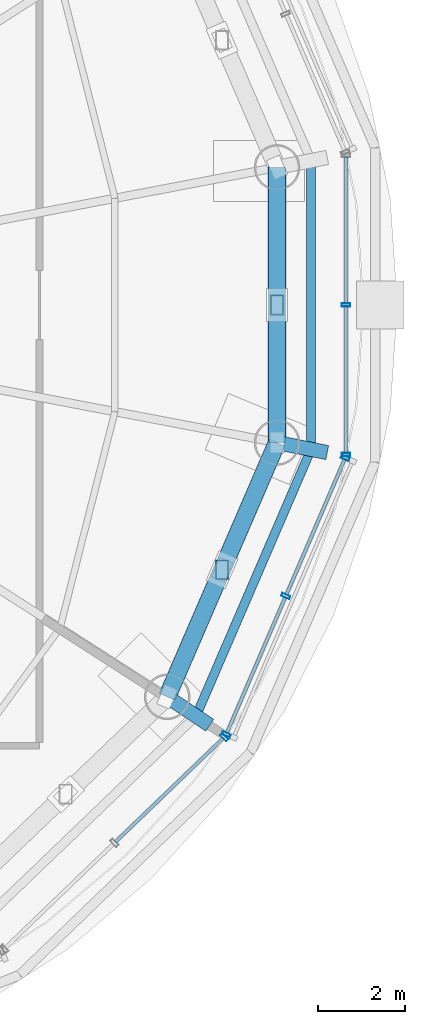
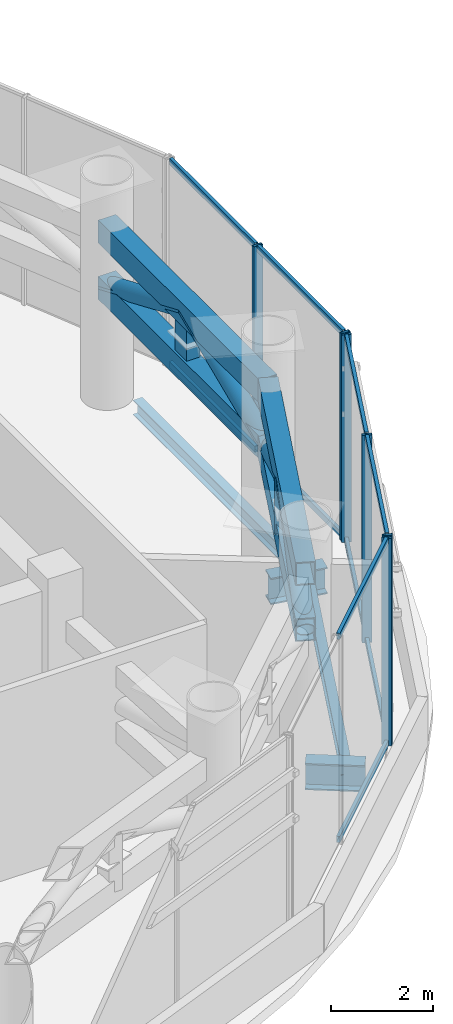
# One storey, part 11 of 21: 26 members, 4 beams, 3 elements without a shape of their own.
"""IFC4 building model written with IfcOpenShell, lengths in metres."""

from ifc_helpers import new_model, si_unit, direction, frame, origin, origin_2d, place, context, subcontext, project, spatial, hollow_rectangle, hollow_circle, i_section, extrude, source, transform, mapped, material, material_profile, profile_set, type_object, element, aggregate, save


model = new_model("IFC4")

# Units and contexts
model_context = context("Model", 3, precision=1e-05, world=origin(), true_north=direction((-0.2419218956, 0.970295726276)))
body_context = subcontext(model_context, "Body", "Model", "MODEL_VIEW")
ifc_project = project(units=[si_unit("LENGTHUNIT", "METRE"), si_unit("AREAUNIT", "SQUARE_METRE"), si_unit("VOLUMEUNIT", "CUBIC_METRE"), si_unit("PLANEANGLEUNIT", "RADIAN"), si_unit("MASSUNIT", "GRAM", prefix="KILO")], contexts=[model_context])

# Site, building, storey
site_placement = place(None, origin())
site = spatial("IfcSite", under=ifc_project, at=site_placement, CompositionType="ELEMENT")
building_placement = place(site_placement, origin())
building = spatial("IfcBuilding", under=site, at=building_placement, Name="Cobrevalo Terracotta Tower", CompositionType="ELEMENT")
storey_placement = place(building_placement, frame((0.0, 0.0, 300.699951171875)))
storey = spatial("IfcBuildingStorey", under=building, at=storey_placement, Name="L79", CompositionType="ELEMENT", Elevation=300.699951171875)

# Beams
ifc_material_1 = material(Name="Steel S355", Category="steel")
ifc_material_profile_1 = material_profile(ifc_material_1, i_section(OverallWidth=0.3291015625, OverallDepth=0.635009765625, WebThickness=0.017822265625, FlangeThickness=0.031005859375, at=origin_2d()), Name="W 610x241")
ifc_profile_set_1 = profile_set([ifc_material_profile_1], Name="Steel S355")
beam_type_1 = type_object("IfcBeamType", Name="Structural Beam W 610x241 (Steel S355)", PredefinedType="BEAM", material=ifc_profile_set_1)
beam_1_placement = place(storey_placement, frame((53.074462890625, 17.116455078125, -0.767333984375), z_axis=(-0.831444927207, 0.5556071751, 0.0), x_axis=(-0.5556071751, -0.831444927207, 0.0)))
element("IfcBeam", 1, at=beam_1_placement, inside=storey, type_object=beam_type_1, Name="L79 setback step-link girder 15", PredefinedType="BEAM", context=body_context, shape_type="SweptSolid", body=[
    extrude(i_section(OverallWidth=0.3291015625, OverallDepth=0.635009765625, WebThickness=0.017822265625, FlangeThickness=0.031005859375, at=origin_2d()), origin(), (0.0, 0.0, 1.0), 1.179931640625),
])
beam_2_placement = place(storey_placement, frame((55.78173828125, 23.399658203125, -0.767333984375), z_axis=(-0.980787003584, 0.195081658802, 0.0), x_axis=(-0.195081658802, -0.980787003584, 0.0)))
element("IfcBeam", 2, at=beam_2_placement, inside=storey, type_object=beam_type_1, Name="L79 setback step-link girder 16", PredefinedType="BEAM", context=body_context, shape_type="SweptSolid", body=[
    extrude(i_section(OverallWidth=0.3291015625, OverallDepth=0.635009765625, WebThickness=0.017822265625, FlangeThickness=0.031005859375, at=origin_2d()), origin(), (0.0, 0.0, 1.0), 1.18017578125),
])
ifc_material_profile_2 = material_profile(ifc_material_1, i_section(OverallWidth=0.205078125, OverallDepth=0.35400390625, WebThickness=0.009521484375, FlangeThickness=0.016845703125, at=origin_2d()), Name="W 360x79")
ifc_profile_set_2 = profile_set([ifc_material_profile_2], Name="Steel S355")
beam_type_2 = type_object("IfcBeamType", Name="Structural Spandrel W 360x79 (Steel S355)", PredefinedType="SPANDREL", material=ifc_profile_set_2)
beam_3_placement = place(storey_placement, frame((52.758544921875, 17.32763671875, -0.626953125), z_axis=(0.395987390706, 0.918255948198, 0.0), x_axis=(-0.918255948198, 0.395987390706, 0.0)))
element("IfcBeam", 3, at=beam_3_placement, inside=storey, type_object=beam_type_2, Name="L79 perimeter ring spandrel 15", PredefinedType="SPANDREL", context=body_context, shape_type="SweptSolid", body=[
    extrude(i_section(OverallWidth=0.205078125, OverallDepth=0.35400390625, WebThickness=0.009521484375, FlangeThickness=0.016845703125, at=origin_2d()), origin(), (0.0, 0.0, 1.0), 6.693115234375),
])
beam_4_placement = place(storey_placement, frame((55.408935546875, 23.4736328125, -0.626953125), z_axis=(0.0, 1.0, 0.0), x_axis=(-1.0, 0.0, 0.0)))
element("IfcBeam", 4, at=beam_4_placement, inside=storey, type_object=beam_type_2, Name="L79 perimeter ring spandrel 16", PredefinedType="SPANDREL", context=body_context, shape_type="SweptSolid", body=[
    extrude(i_section(OverallWidth=0.205078125, OverallDepth=0.35400390625, WebThickness=0.009521484375, FlangeThickness=0.016845703125, at=origin_2d()), origin(), (0.0, 0.0, 1.0), 6.652587890625),
])

# Members
ifc_material_profile_3 = material_profile(ifc_material_1, hollow_rectangle(XDim=0.39990234375, YDim=0.550048828125, WallThickness=0.02490234375, at=origin_2d()), Name="RHS 550x400x25")
ifc_profile_set_3 = profile_set([ifc_material_profile_3], Name="Steel S355")
member_type_1 = type_object("IfcMemberType", Name="Steel Chord RHS 550x400x25 (Steel S355)", PredefinedType="CHORD", material=ifc_profile_set_3)
shared_shape_1 = source(origin(), body_context, "Body", "SweptSolid", [
    extrude(hollow_rectangle(XDim=0.39990234375, YDim=0.550048828125, WallThickness=0.02490234375, at=origin_2d()), origin(), (0.0, 0.0, 1.0), 6.381103515625),
])
for number, where, z_axis, x_axis, name in (
    (5, (52.093505859375, 17.77197265625, 2.650146484375), (0.396595776552, 0.917993349661, 0.0), (-0.917993349661, 0.396595776552, 0.0), "L79 belt truss chord 15-BC"),
    (6, (52.093505859375, 17.77197265625, 4.0), (0.396595776552, 0.917993349661, 0.0), (-0.917993349661, 0.396595776552, 0.0), "L79 belt truss chord 15-TC"),
):
    element("IfcMember", number, at=place(storey_placement, frame(where, z_axis=z_axis, x_axis=x_axis)), inside=storey, type_object=member_type_1, Name=name, PredefinedType="CHORD", context=body_context, shape_type="MappedRepresentation", body=[
        mapped(shared_shape_1, transform((0.0, 0.0, 0.0), scale=1.0)),
    ])
ifc_material_profile_4 = material_profile(ifc_material_1, hollow_rectangle(XDim=0.300048828125, YDim=0.449951171875, WallThickness=0.02001953125, at=origin_2d()), Name="RHS 450x300x20")
ifc_profile_set_4 = profile_set([ifc_material_profile_4], Name="Steel S355")
member_type_2 = type_object("IfcMemberType", Name="Steel Post RHS 450x300x20 (Steel S355)", PredefinedType="POST", material=ifc_profile_set_4)
shared_shape_2 = source(origin(), body_context, "Body", "SweptSolid", [
    extrude(hollow_rectangle(XDim=0.300048828125, YDim=0.449951171875, WallThickness=0.02001953125, at=origin_2d()), origin(), (0.0, 0.0, 1.0), 1.349853515625),
])
for number, where, z_axis, x_axis, name in (
    (7, (53.35888671875, 20.700927734375, 2.650146484375), (0.0, 0.0, 1.0), (1.0, 0.0, 0.0), "L79 belt truss post 15"),
    (8, (54.624267578125, 26.800048828125, 2.650146484375), (0.0, 0.0, 1.0), (1.0, 0.0, 0.0), "L79 belt truss post 16"),
):
    element("IfcMember", number, at=place(storey_placement, frame(where, z_axis=z_axis, x_axis=x_axis)), inside=storey, type_object=member_type_2, Name=name, PredefinedType="POST", context=body_context, shape_type="MappedRepresentation", body=[
        mapped(shared_shape_2, transform((0.0, 0.0, 0.0), scale=1.0)),
    ])
ifc_material_profile_5 = material_profile(ifc_material_1, hollow_circle(Radius=0.202880859375, WallThickness=0.01611328125, at=origin_2d()), Name="CHS 406x16")
ifc_profile_set_5 = profile_set([ifc_material_profile_5], Name="Steel S355")
member_type_3 = type_object("IfcMemberType", Name="Steel Brace CHS 406x16 (Steel S355)", PredefinedType="BRACE", material=ifc_profile_set_5)
shared_shape_3 = source(origin(), body_context, "Body", "SweptSolid", [
    extrude(hollow_circle(Radius=0.202880859375, WallThickness=0.01611328125, at=origin_2d()), origin(), (0.0, 0.0, 1.0), 3.46435546875),
])
for number, where, z_axis, x_axis, name in (
    (9, (52.093505859375, 17.77197265625, 2.650146484375), (0.365252471752, 0.845443546905, 0.389635523117), (-0.917993349661, 0.396595776552, 0.0), "L79 belt truss diagonal brace 15-D1"),
    (10, (54.624267578125, 23.6298828125, 2.650146484375), (-0.365252471752, -0.845443546905, 0.389635523117), (0.917993349661, -0.396595776552, 0.0), "L79 belt truss diagonal brace 15-D2"),
):
    element("IfcMember", number, at=place(storey_placement, frame(where, z_axis=z_axis, x_axis=x_axis)), inside=storey, type_object=member_type_3, Name=name, PredefinedType="BRACE", context=body_context, shape_type="MappedRepresentation", body=[
        mapped(shared_shape_3, transform((0.0, 0.0, 0.0), scale=1.0)),
    ])
shared_shape_4 = source(origin(), body_context, "Body", "SweptSolid", [
    extrude(hollow_rectangle(XDim=0.39990234375, YDim=0.550048828125, WallThickness=0.02490234375, at=origin_2d()), origin(), (0.0, 0.0, 1.0), 6.34033203125),
])
for number, where, z_axis, x_axis, name in (
    (11, (54.624267578125, 23.6298828125, 2.650146484375), (0.0, 1.0, 0.0), (-1.0, 0.0, 0.0), "L79 belt truss chord 16-BC"),
    (12, (54.624267578125, 23.6298828125, 4.0), (0.0, 1.0, 0.0), (-1.0, 0.0, 0.0), "L79 belt truss chord 16-TC"),
):
    element("IfcMember", number, at=place(storey_placement, frame(where, z_axis=z_axis, x_axis=x_axis)), inside=storey, type_object=member_type_1, Name=name, PredefinedType="CHORD", context=body_context, shape_type="MappedRepresentation", body=[
        mapped(shared_shape_4, transform((0.0, 0.0, 0.0), scale=1.0)),
    ])
shared_shape_5 = source(origin(), body_context, "Body", "SweptSolid", [
    extrude(hollow_circle(Radius=0.202880859375, WallThickness=0.01611328125, at=origin_2d()), origin(), (0.0, 0.0, 1.0), 3.445556640625),
])
for number, where, z_axis, x_axis, name in (
    (13, (54.624267578125, 23.6298828125, 2.650146484375), (0.0, 0.920066075966, 0.391763214017), (-1.0, 0.0, 0.0), "L79 belt truss diagonal brace 16-D1"),
    (14, (54.624267578125, 29.97021484375, 2.650146484375), (0.0, -0.920066075966, 0.391763214017), (1.0, 0.0, 0.0), "L79 belt truss diagonal brace 16-D2"),
):
    element("IfcMember", number, at=place(storey_placement, frame(where, z_axis=z_axis, x_axis=x_axis)), inside=storey, type_object=member_type_3, Name=name, PredefinedType="BRACE", context=body_context, shape_type="MappedRepresentation", body=[
        mapped(shared_shape_5, transform((0.0, 0.0, 0.0), scale=1.0)),
    ])

# Curtain wall, member
ifc_material_2 = material(Name="Anodized aluminium", Category="aluminium")
curtain_wall_type = type_object("IfcCurtainWallType", Name="Belt-truss plant acoustic weather-louvre curtain wall CW-LV", PredefinedType="NOTDEFINED", material=ifc_material_2)
curtain_wall_1_placement = place(storey_placement, origin())
curtain_wall_1 = element("IfcCurtainWall", 15, at=curtain_wall_1_placement, inside=storey, type_object=curtain_wall_type, Name="L79 curtain wall CW-LV-L79-S14", PredefinedType="NOTDEFINED")
ifc_material_profile_6 = material_profile(ifc_material_2, hollow_rectangle(XDim=0.074951171875, YDim=0.199951171875, WallThickness=0.0048828125, at=origin_2d()), Name="CWM 75x200")
ifc_profile_set_6 = profile_set([ifc_material_profile_6], Name="Anodized aluminium")
member_type_4 = type_object("IfcMemberType", Name="Lower/mid tower unitised mullion 75x200", PredefinedType="MULLION", material=ifc_profile_set_6)
shared_shape_6 = source(origin(), body_context, "Body", "SweptSolid", [
    extrude(hollow_rectangle(XDim=0.074951171875, YDim=0.199951171875, WallThickness=0.0048828125, at=origin_2d()), origin(), (0.0, 0.0, 1.0), 4.97998046875),
])
member_1_placement = place(storey_placement, frame((53.41162109375, 16.84423828125, 0.0), z_axis=(0.0, 0.0, 1.0), x_axis=(0.72055111168, 0.693401828276, 0.0)))
member_1 = element("IfcMember", 16, at=member_1_placement, type_object=member_type_4, Name="CW-LV-L79-S14 vertical mullion 03", PredefinedType="MULLION", context=body_context, shape_type="MappedRepresentation", body=[
    mapped(shared_shape_6, transform((0.0, 0.0, 0.0), scale=1.0)),
])

# Curtain wall, members
curtain_wall_2_placement = place(storey_placement, origin())
curtain_wall_2 = element("IfcCurtainWall", 17, at=curtain_wall_2_placement, inside=storey, type_object=curtain_wall_type, Name="L79 curtain wall CW-LV-L79-S15", PredefinedType="NOTDEFINED")
member_2_placement = place(storey_placement, frame((53.456298828125, 16.90869140625, 0.0), z_axis=(0.0, 0.0, 1.0), x_axis=(0.395369166227, 0.918522303701, 0.0)))
member_2 = element("IfcMember", 18, at=member_2_placement, type_object=member_type_4, Name="CW-LV-L79-S15 vertical mullion 01", PredefinedType="MULLION", context=body_context, shape_type="MappedRepresentation", body=[
    mapped(shared_shape_6, transform((0.0, 0.0, 0.0), scale=1.0)),
])
member_3_placement = place(storey_placement, frame((54.826904296875, 20.0927734375, 0.0), z_axis=(0.0, 0.0, 1.0), x_axis=(0.395369166227, 0.918522303701, 0.0)))
member_3 = element("IfcMember", 19, at=member_3_placement, type_object=member_type_4, Name="CW-LV-L79-S15 vertical mullion 02", PredefinedType="MULLION", context=body_context, shape_type="MappedRepresentation", body=[
    mapped(shared_shape_6, transform((0.0, 0.0, 0.0), scale=1.0)),
])
member_4_placement = place(storey_placement, frame((56.197265625, 23.277099609375, 0.0), z_axis=(0.0, 0.0, 1.0), x_axis=(0.395369166227, 0.918522303701, 0.0)))
member_4 = element("IfcMember", 20, at=member_4_placement, type_object=member_type_4, Name="CW-LV-L79-S15 vertical mullion 03", PredefinedType="MULLION", context=body_context, shape_type="MappedRepresentation", body=[
    mapped(shared_shape_6, transform((0.0, 0.0, 0.0), scale=1.0)),
])

curtain_wall_3_placement = place(storey_placement, origin())
curtain_wall_3 = element("IfcCurtainWall", 21, at=curtain_wall_3_placement, inside=storey, type_object=curtain_wall_type, Name="L79 curtain wall CW-LV-L79-S16", PredefinedType="NOTDEFINED")
member_5_placement = place(storey_placement, frame((56.213134765625, 23.353759765625, 0.0), z_axis=(0.0, 0.0, 1.0), x_axis=(0.0, 1.0, 0.0)))
member_5 = element("IfcMember", 22, at=member_5_placement, type_object=member_type_4, Name="CW-LV-L79-S16 vertical mullion 01", PredefinedType="MULLION", context=body_context, shape_type="MappedRepresentation", body=[
    mapped(shared_shape_6, transform((0.0, 0.0, 0.0), scale=1.0)),
])
member_6_placement = place(storey_placement, frame((56.213134765625, 26.800048828125, 0.0), z_axis=(0.0, 0.0, 1.0), x_axis=(0.0, 1.0, 0.0)))
member_6 = element("IfcMember", 23, at=member_6_placement, type_object=member_type_4, Name="CW-LV-L79-S16 vertical mullion 02", PredefinedType="MULLION", context=body_context, shape_type="MappedRepresentation", body=[
    mapped(shared_shape_6, transform((0.0, 0.0, 0.0), scale=1.0)),
])

# Member
ifc_material_profile_7 = material_profile(ifc_material_2, hollow_rectangle(XDim=0.074951171875, YDim=0.14990234375, WallThickness=0.00439453125, at=origin_2d()), Name="CWT 75x150")
ifc_profile_set_7 = profile_set([ifc_material_profile_7], Name="Anodized aluminium")
member_type_5 = type_object("IfcMemberType", Name="Tower unitised aluminium transom 75x150", PredefinedType="USERDEFINED", material=ifc_profile_set_7)
shared_shape_7 = source(origin(), body_context, "Body", "SweptSolid", [
    extrude(hollow_rectangle(XDim=0.074951171875, YDim=0.14990234375, WallThickness=0.00439453125, at=origin_2d()), origin(), (0.0, 0.0, 1.0), 3.386474609375),
])
member_7_placement = place(storey_placement, frame((53.471923828125, 16.945556640625, 0.050048828125), z_axis=(0.395415271574, 0.918502456723, 0.0), x_axis=(-0.918502456723, 0.395415271574, 0.0)))
member_7 = element("IfcMember", 24, at=member_7_placement, type_object=member_type_5, Name="CW-LV-L79-S15 transom B01-T1", ObjectType="TRANSOM", PredefinedType="USERDEFINED", context=body_context, shape_type="MappedRepresentation", body=[
    mapped(shared_shape_7, transform((0.0, 0.0, 0.0), scale=1.0)),
])

member_8_placement = place(storey_placement, frame((53.471923828125, 16.945556640625, 4.929931640625), z_axis=(0.395415271574, 0.918502456723, 0.0), x_axis=(-0.918502456723, 0.395415271574, 0.0)))
member_8 = element("IfcMember", 25, at=member_8_placement, type_object=member_type_5, Name="CW-LV-L79-S15 transom B01-T2", ObjectType="TRANSOM", PredefinedType="USERDEFINED", context=body_context, shape_type="MappedRepresentation", body=[
    mapped(shared_shape_7, transform((0.0, 0.0, 0.0), scale=1.0)),
])

member_9_placement = place(storey_placement, frame((54.842529296875, 20.129638671875, 0.050048828125), z_axis=(0.395415271574, 0.918502456723, 0.0), x_axis=(-0.918502456723, 0.395415271574, 0.0)))
member_9 = element("IfcMember", 26, at=member_9_placement, type_object=member_type_5, Name="CW-LV-L79-S15 transom B02-T1", ObjectType="TRANSOM", PredefinedType="USERDEFINED", context=body_context, shape_type="MappedRepresentation", body=[
    mapped(shared_shape_7, transform((0.0, 0.0, 0.0), scale=1.0)),
])

member_10_placement = place(storey_placement, frame((54.842529296875, 20.129638671875, 4.929931640625), z_axis=(0.395415271574, 0.918502456723, 0.0), x_axis=(-0.918502456723, 0.395415271574, 0.0)))
member_10 = element("IfcMember", 27, at=member_10_placement, type_object=member_type_5, Name="CW-LV-L79-S15 transom B02-T2", ObjectType="TRANSOM", PredefinedType="USERDEFINED", context=body_context, shape_type="MappedRepresentation", body=[
    mapped(shared_shape_7, transform((0.0, 0.0, 0.0), scale=1.0)),
])

aggregate(curtain_wall_2, [member_2, member_3, member_4, member_7, member_8, member_9, member_10])

shared_shape_8 = source(origin(), body_context, "Body", "SweptSolid", [
    extrude(hollow_rectangle(XDim=0.074951171875, YDim=0.14990234375, WallThickness=0.00439453125, at=origin_2d()), origin(), (0.0, 0.0, 1.0), 3.43505859375),
])
member_11_placement = place(storey_placement, frame((50.907470703125, 14.4345703125, 0.050048828125), z_axis=(0.7205858285, 0.693365750355, 0.0), x_axis=(-0.693365750355, 0.7205858285, 0.0)))
member_11 = element("IfcMember", 28, at=member_11_placement, type_object=member_type_5, Name="CW-LV-L79-S14 transom B02-T1", ObjectType="TRANSOM", PredefinedType="USERDEFINED", context=body_context, shape_type="MappedRepresentation", body=[
    mapped(shared_shape_8, transform((0.0, 0.0, 0.0), scale=1.0)),
])

member_12_placement = place(storey_placement, frame((50.907470703125, 14.4345703125, 4.929931640625), z_axis=(0.7205858285, 0.693365750355, 0.0), x_axis=(-0.693365750355, 0.7205858285, 0.0)))
member_12 = element("IfcMember", 29, at=member_12_placement, type_object=member_type_5, Name="CW-LV-L79-S14 transom B02-T2", ObjectType="TRANSOM", PredefinedType="USERDEFINED", context=body_context, shape_type="MappedRepresentation", body=[
    mapped(shared_shape_8, transform((0.0, 0.0, 0.0), scale=1.0)),
])

aggregate(curtain_wall_1, [member_1, member_11, member_12])

shared_shape_9 = source(origin(), body_context, "Body", "SweptSolid", [
    extrude(hollow_rectangle(XDim=0.074951171875, YDim=0.14990234375, WallThickness=0.00439453125, at=origin_2d()), origin(), (0.0, 0.0, 1.0), 3.3662109375),
])
member_13_placement = place(storey_placement, frame((56.213134765625, 23.393798828125, 0.050048828125), z_axis=(0.0, 1.0, 0.0), x_axis=(-1.0, 0.0, 0.0)))
member_13 = element("IfcMember", 30, at=member_13_placement, type_object=member_type_5, Name="CW-LV-L79-S16 transom B01-T1", ObjectType="TRANSOM", PredefinedType="USERDEFINED", context=body_context, shape_type="MappedRepresentation", body=[
    mapped(shared_shape_9, transform((0.0, 0.0, 0.0), scale=1.0)),
])

member_14_placement = place(storey_placement, frame((56.213134765625, 23.393798828125, 4.929931640625), z_axis=(0.0, 1.0, 0.0), x_axis=(-1.0, 0.0, 0.0)))
member_14 = element("IfcMember", 31, at=member_14_placement, type_object=member_type_5, Name="CW-LV-L79-S16 transom B01-T2", ObjectType="TRANSOM", PredefinedType="USERDEFINED", context=body_context, shape_type="MappedRepresentation", body=[
    mapped(shared_shape_9, transform((0.0, 0.0, 0.0), scale=1.0)),
])

member_15_placement = place(storey_placement, frame((56.213134765625, 26.840087890625, 0.050048828125), z_axis=(0.0, 1.0, 0.0), x_axis=(-1.0, 0.0, 0.0)))
member_15 = element("IfcMember", 32, at=member_15_placement, type_object=member_type_5, Name="CW-LV-L79-S16 transom B02-T1", ObjectType="TRANSOM", PredefinedType="USERDEFINED", context=body_context, shape_type="MappedRepresentation", body=[
    mapped(shared_shape_9, transform((0.0, 0.0, 0.0), scale=1.0)),
])

member_16_placement = place(storey_placement, frame((56.213134765625, 26.840087890625, 4.929931640625), z_axis=(0.0, 1.0, 0.0), x_axis=(-1.0, 0.0, 0.0)))
member_16 = element("IfcMember", 33, at=member_16_placement, type_object=member_type_5, Name="CW-LV-L79-S16 transom B02-T2", ObjectType="TRANSOM", PredefinedType="USERDEFINED", context=body_context, shape_type="MappedRepresentation", body=[
    mapped(shared_shape_9, transform((0.0, 0.0, 0.0), scale=1.0)),
])

aggregate(curtain_wall_3, [member_5, member_6, member_13, member_14, member_15, member_16])

save(model, "model.ifc")
